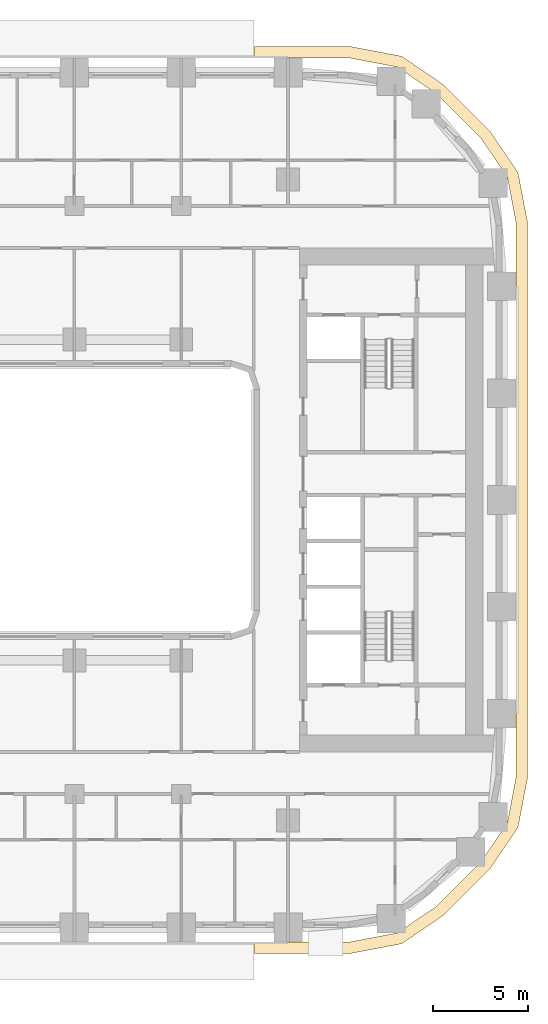
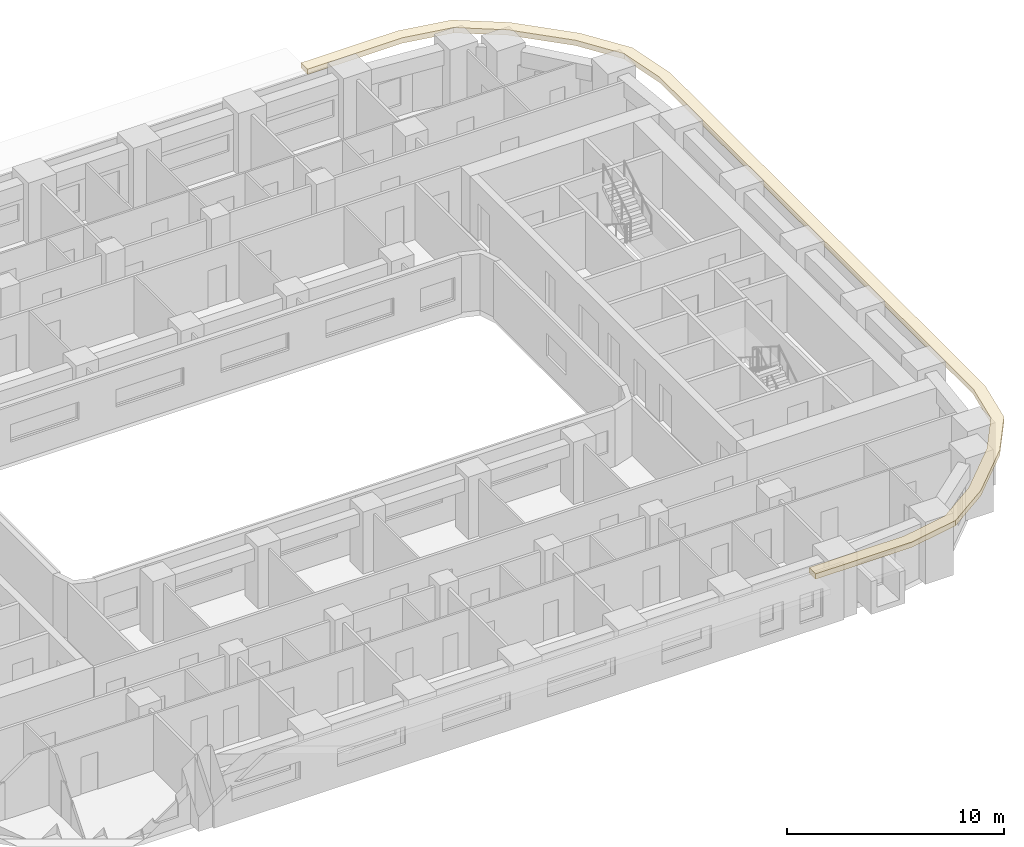
# One storey, part 17 of 21: 1 covering.
"""IFC4 building model written with IfcOpenShell, lengths in metres."""

from ifc_helpers import new_model, si_unit, direction, frame, origin, place, context, subcontext, project, spatial, polyline, outline, extrude, material, layer, layer_set, type_object, element, save


model = new_model("IFC4")

# Units and contexts
model_context = context("Model", 3, precision=1e-05, world=origin(), true_north=direction((0.0, 1.0)))
body_context = subcontext(model_context, "Body", "Model", "MODEL_VIEW")
ifc_project = project(units=[si_unit("LENGTHUNIT", "METRE"), si_unit("AREAUNIT", "SQUARE_METRE"), si_unit("VOLUMEUNIT", "CUBIC_METRE"), si_unit("PLANEANGLEUNIT", "RADIAN"), si_unit("MASSUNIT", "GRAM", prefix="KILO")], contexts=[model_context])

# Site, building, storey
site_placement = place(None, origin())
site = spatial("IfcSite", under=ifc_project, at=site_placement, CompositionType="ELEMENT")
building_placement = place(site_placement, origin())
building = spatial("IfcBuilding", under=site, at=building_placement, Name="Kiln Ring Residences", CompositionType="ELEMENT")
storey_placement = place(building_placement, frame((0.0, 0.0, 34.0)))
storey = spatial("IfcBuildingStorey", under=building, at=storey_placement, Name="L07", CompositionType="ELEMENT", Elevation=34.0)

# Covering
ifc_material = material(Name="Black powder-coated steel", Category="steel")
ifc_layer = layer(ifc_material, 0.300048828125)
ifc_layer_set = layer_set([ifc_layer], Name="SUNSHADE FIN 600")
covering_type = type_object("IfcCoveringType", Name="SUNSHADE FIN 600", PredefinedType="CLADDING", material=ifc_layer_set)
covering_placement = place(storey_placement, frame((0.0, 0.0, 3.199951171875)))
element("IfcCovering", 1, at=covering_placement, inside=storey, type_object=covering_type, Name="SUNSHADE FIN L07", PredefinedType="CLADDING", context=body_context, shape_type="SweptSolid", body=[
    extrude(outline(polyline([(20.127685546875, 23.75), (15.0, 23.75), (15.0, 23.14990234375), (20.07080078125, 23.14990234375), (22.517333984375, 22.683349609375), (24.577392578125, 21.283447265625), (26.88330078125, 18.977294921875), (28.283447265625, 16.91748046875), (28.75, 14.470947265625), (28.75, -14.470947265625), (28.283447265625, -16.91748046875), (26.88330078125, -18.977294921875), (24.577392578125, -21.283447265625), (22.517333984375, -22.683349609375), (20.07080078125, -23.14990234375), (15.0, -23.14990234375), (15.0, -23.75), (20.127685546875, -23.75), (22.751953125, -23.24951171875), (24.96142578125, -21.747802734375), (27.347900390625, -19.361328125), (28.849365234375, -17.15185546875), (29.35009765625, -14.527587890625), (29.35009765625, 14.527587890625), (28.849365234375, 17.15185546875), (27.347900390625, 19.361328125), (24.96142578125, 21.747802734375), (22.751953125, 23.24951171875), (20.127685546875, 23.75)])), origin(), (0.0, 0.0, 1.0), 0.300048828125),
])

save(model, "model.ifc")
